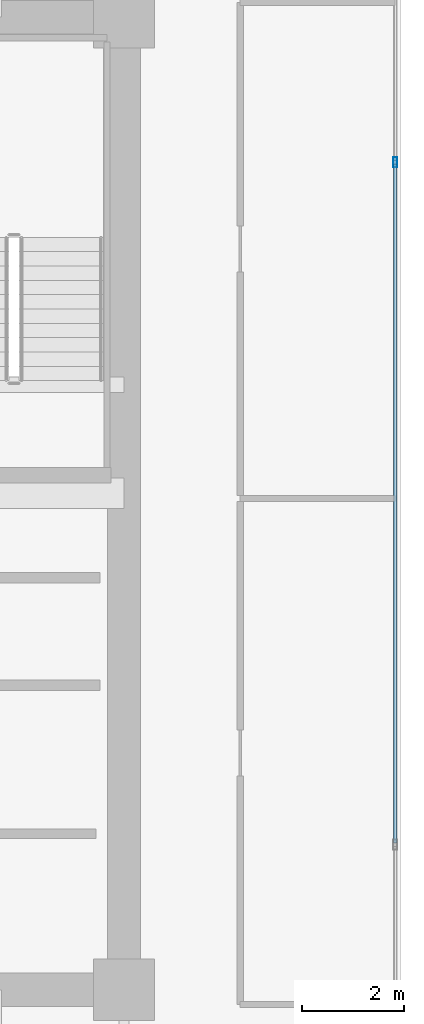
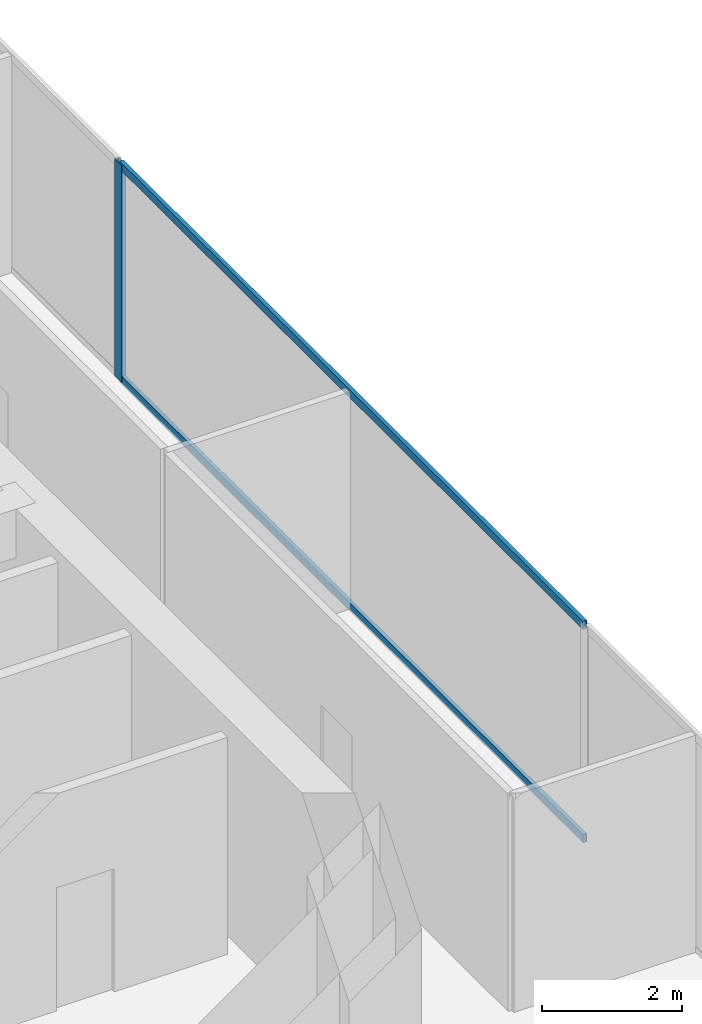
# One storey, part 22 of 30: 3 members, 1 element without a shape of its own.
"""IFC4 building model written with IfcOpenShell, lengths in metres."""

from ifc_helpers import new_model, si_unit, direction, frame, origin, origin_2d, place, context, subcontext, project, spatial, hollow_rectangle, extrude, source, transform, mapped, material, layer, layer_set, material_profile, profile_set, type_object, type_shapes, element, aggregate, save


model = new_model("IFC4")

# Units and contexts
model_context = context("Model", 3, precision=1e-05, world=origin(), true_north=direction((0.0, 1.0)))
body_context = subcontext(model_context, "Body", "Model", "MODEL_VIEW")
ifc_project = project(units=[si_unit("LENGTHUNIT", "METRE"), si_unit("AREAUNIT", "SQUARE_METRE"), si_unit("VOLUMEUNIT", "CUBIC_METRE"), si_unit("PLANEANGLEUNIT", "RADIAN"), si_unit("MASSUNIT", "GRAM", prefix="KILO")], contexts=[model_context])

# Site, building, storey
site_placement = place(None, origin())
site = spatial("IfcSite", under=ifc_project, at=site_placement, CompositionType="ELEMENT")
building_placement = place(site_placement, origin())
building = spatial("IfcBuilding", under=site, at=building_placement, Name="Haelvirn Gate Laboratories", CompositionType="ELEMENT")
storey_placement = place(building_placement, frame((0.0, 0.0, 162.5)))
storey = spatial("IfcBuildingStorey", under=building, at=storey_placement, Name="L39", CompositionType="ELEMENT", Elevation=162.5)

# Curtain wall, members
ifc_material_1 = material(Name="Anodised bronze unitised aluminium & triple low-E glass", Category="aluminium")
ifc_layer = layer(ifc_material_1, 0.179931640625, Name="CW-SYS-3")
ifc_layer_set = layer_set([ifc_layer], Name="Anodised bronze unitised aluminium & triple low-E glass")
curtain_wall_type = type_object("IfcCurtainWallType", Name="CW-SYS-3", PredefinedType="NOTDEFINED", material=ifc_layer_set)
curtain_wall_placement = place(storey_placement, origin())
curtain_wall = element("IfcCurtainWall", 1, at=curtain_wall_placement, inside=storey, type_object=curtain_wall_type, Name="L39 Unitised Curtain Wall CW-L39-P0-E07", PredefinedType="NOTDEFINED")
ifc_material_2 = material(Name="Extruded aluminium 6063-T6 (anodised bronze)", Category="aluminium")
ifc_material_profile_1 = material_profile(ifc_material_2, hollow_rectangle(XDim=0.06494140625, YDim=0.139892578125, WallThickness=0.00390625, at=origin_2d()), Name="CWT-140x65x4")
ifc_profile_set_1 = profile_set([ifc_material_profile_1], Name="Extruded aluminium 6063-T6 (anodised bronze)")
member_type_1 = type_object("IfcMemberType", Name="CWT-T140", PredefinedType="USERDEFINED", material=ifc_profile_set_1)
shared_shape_1 = source(origin(), body_context, "Body", "SweptSolid", [
    extrude(hollow_rectangle(XDim=0.06494140625, YDim=0.139892578125, WallThickness=0.00390625, at=origin_2d()), origin(), (0.0, 0.0, 1.0), 13.25830078125),
])
type_shapes(member_type_1, [shared_shape_1])
member_1_placement = place(storey_placement, frame((72.699951171875, 17.6708984375, 0.032470703125), z_axis=(0.0, 1.0, 0.0), x_axis=(-1.0, 0.0, 0.0)))
member_1 = element("IfcMember", 2, at=member_1_placement, type_object=member_type_1, Name="CW3 transom 2.1", ObjectType="TRANSOM", PredefinedType="USERDEFINED", context=body_context, shape_type="MappedRepresentation", body=[
    mapped(shared_shape_1, transform((0.0, 0.0, 0.0), scale=1.0)),
])
member_2_placement = place(storey_placement, frame((72.699951171875, 17.6708984375, 3.757568359375), z_axis=(0.0, 1.0, 0.0), x_axis=(-1.0, 0.0, 0.0)))
member_2 = element("IfcMember", 3, at=member_2_placement, type_object=member_type_1, Name="CW3 transom 2.2", ObjectType="TRANSOM", PredefinedType="USERDEFINED", context=body_context, shape_type="MappedRepresentation", body=[
    mapped(shared_shape_1, transform((0.0, 0.0, 0.0), scale=1.0)),
])
ifc_material_profile_2 = material_profile(ifc_material_2, hollow_rectangle(XDim=0.074951171875, YDim=0.199951171875, WallThickness=0.0048828125, at=origin_2d()), Name="CWM-200x75x5")
ifc_profile_set_2 = profile_set([ifc_material_profile_2], Name="Extruded aluminium 6063-T6 (anodised bronze)")
member_type_2 = type_object("IfcMemberType", Name="CWM-T200", PredefinedType="MULLION", material=ifc_profile_set_2)
shared_shape_2 = source(origin(), body_context, "Body", "SweptSolid", [
    extrude(hollow_rectangle(XDim=0.074951171875, YDim=0.199951171875, WallThickness=0.0048828125, at=origin_2d()), origin(), (0.0, 0.0, 1.0), 3.7900390625),
])
type_shapes(member_type_2, [shared_shape_2])
member_3_placement = place(storey_placement, frame((72.699951171875, 30.966552734375, 0.0), z_axis=(0.0, 0.0, 1.0), x_axis=(-1.0, 0.0, 0.0)))
member_3 = element("IfcMember", 4, at=member_3_placement, type_object=member_type_2, Name="CW3 mullion 3", PredefinedType="MULLION", context=body_context, shape_type="MappedRepresentation", body=[
    mapped(shared_shape_2, transform((0.0, 0.0, 0.0), scale=1.0)),
])
aggregate(curtain_wall, [member_3, member_1, member_2])

save(model, "model.ifc")
